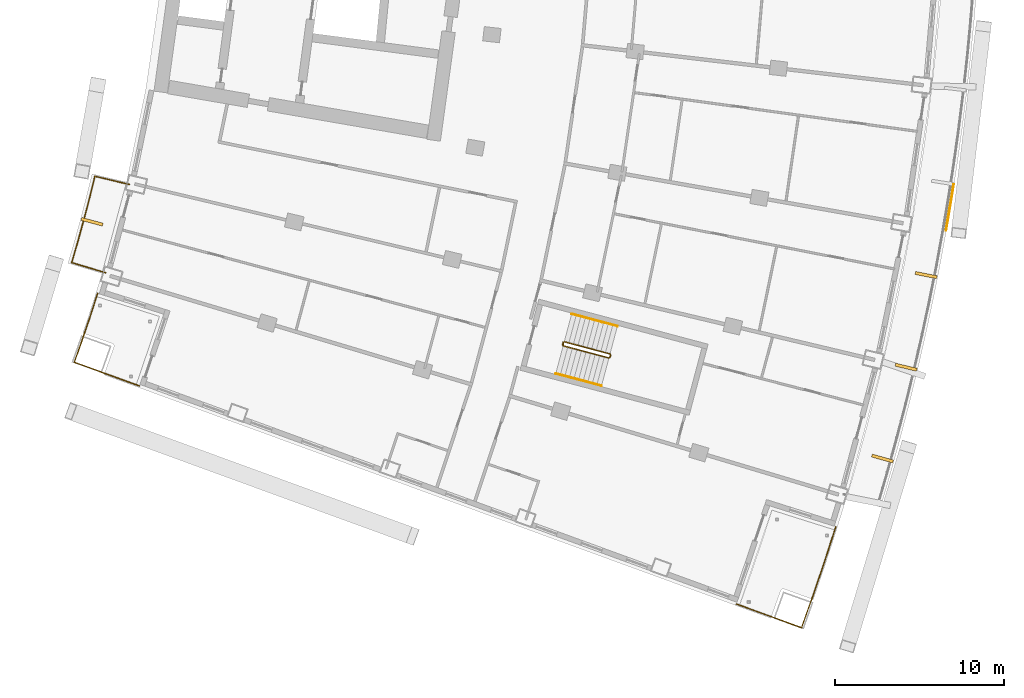
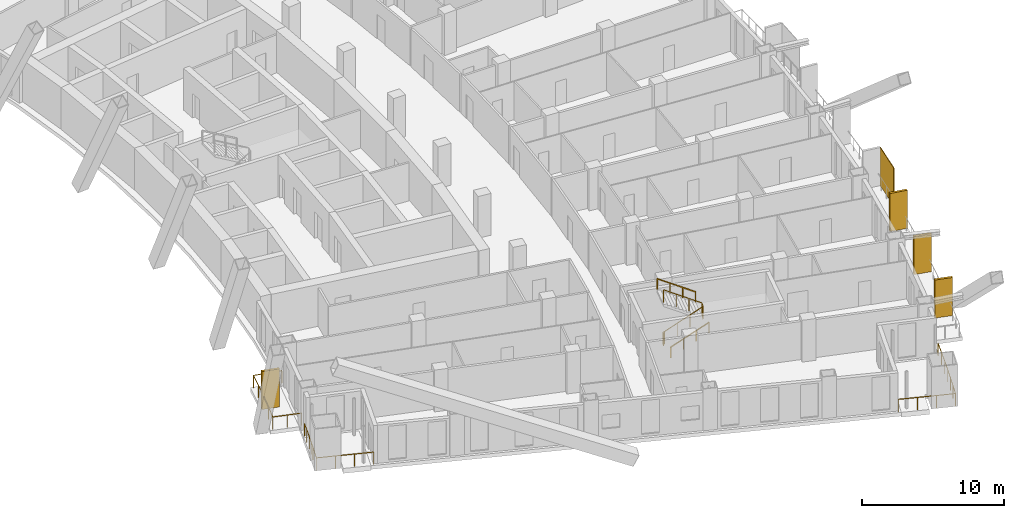
# One storey, part 23 of 25: 6 railings, 5 shading devices.
"""IFC4 building model written with IfcOpenShell, lengths in metres."""

from ifc_helpers import new_model, si_unit, direction, frame, origin, origin_2d, place, context, subcontext, project, spatial, rectangle, extrude, material, layer, layer_set, type_object, element, save


model = new_model("IFC4")

# Units and contexts
model_context = context("Model", 3, precision=1e-05, world=origin(), true_north=direction((0.0, 1.0)))
body_context = subcontext(model_context, "Body", "Model", "MODEL_VIEW")
ifc_project = project(units=[si_unit("LENGTHUNIT", "METRE"), si_unit("AREAUNIT", "SQUARE_METRE"), si_unit("VOLUMEUNIT", "CUBIC_METRE"), si_unit("PLANEANGLEUNIT", "RADIAN"), si_unit("MASSUNIT", "GRAM", prefix="KILO")], contexts=[model_context])

# Site, building, storey
site_placement = place(None, origin())
site = spatial("IfcSite", under=ifc_project, at=site_placement, CompositionType="ELEMENT")
building_placement = place(site_placement, origin())
building = spatial("IfcBuilding", under=site, at=building_placement, Name="Alderwake Tower", CompositionType="ELEMENT")
storey_placement = place(building_placement, frame((0.0, 0.0, 93.199951171875)))
storey = spatial("IfcBuildingStorey", under=building, at=storey_placement, Name="L22", CompositionType="ELEMENT", Elevation=93.199951171875)

# Railings
ifc_material_1 = material(Name="Stainless steel 316 rail and posts", Category="steel")
railing_type_1 = type_object("IfcRailingType", Name="Balcony guard 1100", PredefinedType="GUARDRAIL", material=ifc_material_1)
railing_1_placement = place(storey_placement, frame((12.16650390625, 33.435791015625, 0.0)))
element("IfcRailing", 1, at=railing_1_placement, inside=storey, type_object=railing_type_1, Name="Guard BR02", PredefinedType="GUARDRAIL", context=body_context, shape_type="SweptSolid", body=[
    extrude(rectangle(XDim=0.048095703125, YDim=0.048095703125, at=origin_2d()), frame((0.0, 0.0, 1.076171875), z_axis=(-0.958091458885, 0.286462486918, 0.0), x_axis=(-0.286462486918, -0.958091458885, 0.0)), (0.0, 0.0, 1.0), 2.099853515625),
    extrude(rectangle(XDim=0.048095703125, YDim=0.048095703125, at=origin_2d()), frame((-2.011962890625, 0.6015625, 1.076171875), z_axis=(0.279963157487, 0.960010744966, 0.0), x_axis=(-0.960010744966, 0.279963157487, 0.0)), (0.0, 0.0, 1.0), 1.272216796875),
    extrude(rectangle(XDim=0.048095703125, YDim=0.048095703125, at=origin_2d()), frame((-1.65576171875, 1.822998046875, 1.076171875), z_axis=(0.266487604617, 0.963838345671, 0.0), x_axis=(-0.963838345671, 0.266487604617, 0.0)), (0.0, 0.0, 1.0), 1.372314453125),
    extrude(rectangle(XDim=0.048095703125, YDim=0.048095703125, at=origin_2d()), frame((-1.2900390625, 3.145751953125, 1.076171875), z_axis=(0.252487086228, 0.967600264204, 0.0), x_axis=(-0.967600264204, 0.252487086228, 0.0)), (0.0, 0.0, 1.0), 1.3720703125),
    extrude(rectangle(XDim=0.048095703125, YDim=0.048095703125, at=origin_2d()), frame((-0.943603515625, 4.473388671875, 1.076171875), z_axis=(0.238877101641, 0.971049808358, 0.0), x_axis=(-0.971049808358, 0.238877101641, 0.0)), (0.0, 0.0, 1.0), 1.2724609375),
    extrude(rectangle(XDim=0.048095703125, YDim=0.048095703125, at=origin_2d()), frame((-0.6396484375, 5.708984375, 1.076171875), z_axis=(0.972646310656, -0.232291098337, 0.0), x_axis=(0.232291098337, 0.972646310656, 0.0)), (0.0, 0.0, 1.0), 2.099853515625),
    extrude(rectangle(XDim=0.0419921875, YDim=0.0419921875, at=origin_2d()), frame((0.0, 0.0, 0.0), z_axis=(0.0, 0.0, 1.0), x_axis=(-0.958091458885, 0.286462486918, 0.0)), (0.0, 0.0, 1.0), 1.052001953125),
    extrude(rectangle(XDim=0.0419921875, YDim=0.0419921875, at=origin_2d()), frame((-1.005859375, 0.30078125, 0.0), z_axis=(0.0, 0.0, 1.0), x_axis=(-0.958091458885, 0.286462486918, 0.0)), (0.0, 0.0, 1.0), 1.052001953125),
    extrude(rectangle(XDim=0.0419921875, YDim=0.0419921875, at=origin_2d()), frame((-2.011962890625, 0.6015625, 0.0), z_axis=(0.0, 0.0, 1.0), x_axis=(0.279963157487, 0.960010744966, 0.0)), (0.0, 0.0, 1.0), 1.052001953125),
    extrude(rectangle(XDim=0.0419921875, YDim=0.0419921875, at=origin_2d()), frame((-1.65576171875, 1.822998046875, 0.0), z_axis=(0.0, 0.0, 1.0), x_axis=(0.266487604617, 0.963838345671, 0.0)), (0.0, 0.0, 1.0), 1.052001953125),
    extrude(rectangle(XDim=0.0419921875, YDim=0.0419921875, at=origin_2d()), frame((-1.2900390625, 3.145751953125, 0.0), z_axis=(0.0, 0.0, 1.0), x_axis=(0.252487086228, 0.967600264204, 0.0)), (0.0, 0.0, 1.0), 1.052001953125),
    extrude(rectangle(XDim=0.0419921875, YDim=0.0419921875, at=origin_2d()), frame((-0.943603515625, 4.473388671875, 0.0), z_axis=(0.0, 0.0, 1.0), x_axis=(0.238877101641, 0.971049808358, 0.0)), (0.0, 0.0, 1.0), 1.052001953125),
    extrude(rectangle(XDim=0.0419921875, YDim=0.0419921875, at=origin_2d()), frame((-0.6396484375, 5.708984375, 0.0), z_axis=(0.0, 0.0, 1.0), x_axis=(0.972646310656, -0.232291098337, 0.0)), (0.0, 0.0, 1.0), 1.052001953125),
    extrude(rectangle(XDim=0.0419921875, YDim=0.0419921875, at=origin_2d()), frame((0.381591796875, 5.465087890625, 0.0), z_axis=(0.0, 0.0, 1.0), x_axis=(0.972646310656, -0.232291098337, 0.0)), (0.0, 0.0, 1.0), 1.052001953125),
    extrude(rectangle(XDim=0.0419921875, YDim=0.0419921875, at=origin_2d()), frame((1.40283203125, 5.22119140625, 0.0), z_axis=(0.0, 0.0, 1.0), x_axis=(0.972646310656, -0.232291098337, 0.0)), (0.0, 0.0, 1.0), 1.052001953125),
])
railing_2_placement = place(storey_placement, frame((55.357666015625, 18.409912109375, 0.0)))
element("IfcRailing", 2, at=railing_2_placement, inside=storey, type_object=railing_type_1, Name="Guard terrace FS", PredefinedType="GUARDRAIL", context=body_context, shape_type="SweptSolid", body=[
    extrude(rectangle(XDim=0.048095703125, YDim=0.048095703125, at=origin_2d()), frame((0.0, 0.0, 1.076171875), z_axis=(-0.307791641716, -0.951453785157, 0.0), x_axis=(0.951453785157, -0.307791641716, 0.0)), (0.0, 0.0, 1.0), 2.269287109375),
    extrude(rectangle(XDim=0.048095703125, YDim=0.048095703125, at=origin_2d()), frame((-0.698486328125, -2.1591796875, 1.076171875), z_axis=(-0.322203060236, -0.946670580495, 0.0), x_axis=(0.946670580495, -0.322203060236, 0.0)), (0.0, 0.0, 1.0), 2.0693359375),
    extrude(rectangle(XDim=0.048095703125, YDim=0.048095703125, at=origin_2d()), frame((-1.365234375, -4.1181640625, 1.076171875), z_axis=(-0.335723744503, -0.94196049141, 0.0), x_axis=(0.94196049141, -0.335723744503, 0.0)), (0.0, 0.0, 1.0), 1.96923828125),
    extrude(rectangle(XDim=0.048095703125, YDim=0.048095703125, at=origin_2d()), frame((-2.0263671875, -5.97314453125, 1.076171875), z_axis=(-0.939624669849, 0.342206779317, 0.0), x_axis=(-0.342206779317, -0.939624669849, 0.0)), (0.0, 0.0, 1.0), 4.10009765625),
    extrude(rectangle(XDim=0.0419921875, YDim=0.0419921875, at=origin_2d()), frame((0.0, 0.0, 0.0), z_axis=(0.0, 0.0, 1.0), x_axis=(-0.307791641716, -0.951453785157, 0.0)), (0.0, 0.0, 1.0), 1.052001953125),
    extrude(rectangle(XDim=0.0419921875, YDim=0.0419921875, at=origin_2d()), frame((-0.34912109375, -1.07958984375, 0.0), z_axis=(0.0, 0.0, 1.0), x_axis=(-0.307791641716, -0.951453785157, 0.0)), (0.0, 0.0, 1.0), 1.052001953125),
    extrude(rectangle(XDim=0.0419921875, YDim=0.0419921875, at=origin_2d()), frame((-0.698486328125, -2.1591796875, 0.0), z_axis=(0.0, 0.0, 1.0), x_axis=(-0.322203060236, -0.946670580495, 0.0)), (0.0, 0.0, 1.0), 1.052001953125),
    extrude(rectangle(XDim=0.0419921875, YDim=0.0419921875, at=origin_2d()), frame((-1.03173828125, -3.138671875, 0.0), z_axis=(0.0, 0.0, 1.0), x_axis=(-0.322203060236, -0.946670580495, 0.0)), (0.0, 0.0, 1.0), 1.052001953125),
    extrude(rectangle(XDim=0.0419921875, YDim=0.0419921875, at=origin_2d()), frame((-1.365234375, -4.1181640625, 0.0), z_axis=(0.0, 0.0, 1.0), x_axis=(-0.335723744503, -0.94196049141, 0.0)), (0.0, 0.0, 1.0), 1.052001953125),
    extrude(rectangle(XDim=0.0419921875, YDim=0.0419921875, at=origin_2d()), frame((-1.69580078125, -5.045654296875, 0.0), z_axis=(0.0, 0.0, 1.0), x_axis=(-0.335723744503, -0.94196049141, 0.0)), (0.0, 0.0, 1.0), 1.052001953125),
    extrude(rectangle(XDim=0.0419921875, YDim=0.0419921875, at=origin_2d()), frame((-2.0263671875, -5.97314453125, 0.0), z_axis=(0.0, 0.0, 1.0), x_axis=(-0.939624669849, 0.342206779317, 0.0)), (0.0, 0.0, 1.0), 1.052001953125),
    extrude(rectangle(XDim=0.0419921875, YDim=0.0419921875, at=origin_2d()), frame((-3.310546875, -5.50537109375, 0.0), z_axis=(0.0, 0.0, 1.0), x_axis=(-0.939624669849, 0.342206779317, 0.0)), (0.0, 0.0, 1.0), 1.052001953125),
    extrude(rectangle(XDim=0.0419921875, YDim=0.0419921875, at=origin_2d()), frame((-4.5947265625, -5.037841796875, 0.0), z_axis=(0.0, 0.0, 1.0), x_axis=(-0.939624669849, 0.342206779317, 0.0)), (0.0, 0.0, 1.0), 1.052001953125),
    extrude(rectangle(XDim=0.0419921875, YDim=0.0419921875, at=origin_2d()), frame((-5.87890625, -4.570068359375, 0.0), z_axis=(0.0, 0.0, 1.0), x_axis=(-0.939624669849, 0.342206779317, 0.0)), (0.0, 0.0, 1.0), 1.052001953125),
])
railing_3_placement = place(storey_placement, frame((11.688720703125, 32.218017578125, 0.0)))
element("IfcRailing", 3, at=railing_3_placement, inside=storey, type_object=railing_type_1, Name="Guard terrace RS", PredefinedType="GUARDRAIL", context=body_context, shape_type="SweptSolid", body=[
    extrude(rectangle(XDim=0.048095703125, YDim=0.048095703125, at=origin_2d()), frame((0.0, 0.0, 1.076171875), z_axis=(-0.307479326145, -0.951554761426, 0.0), x_axis=(0.951554761426, -0.307479326145, 0.0)), (0.0, 0.0, 1.0), 1.6015625),
    extrude(rectangle(XDim=0.048095703125, YDim=0.048095703125, at=origin_2d()), frame((-0.492431640625, -1.52392578125, 1.076171875), z_axis=(-0.322283727344, -0.946643121292, 0.0), x_axis=(0.946643121292, -0.322283727344, 0.0)), (0.0, 0.0, 1.0), 1.4013671875),
    extrude(rectangle(XDim=0.048095703125, YDim=0.048095703125, at=origin_2d()), frame((-0.944091796875, -2.8505859375, 1.076171875), z_axis=(-0.335468607403, -0.942051385778, 0.0), x_axis=(0.942051385778, -0.335468607403, 0.0)), (0.0, 0.0, 1.0), 1.30126953125),
    extrude(rectangle(XDim=0.048095703125, YDim=0.048095703125, at=origin_2d()), frame((-1.380615234375, -4.076416015625, 1.076171875), z_axis=(0.939708203232, -0.341977327873, 0.0), x_axis=(0.341977327873, 0.939708203232, 0.0)), (0.0, 0.0, 1.0), 4.10009765625),
    extrude(rectangle(XDim=0.0419921875, YDim=0.0419921875, at=origin_2d()), frame((0.0, 0.0, 0.0), z_axis=(0.0, 0.0, 1.0), x_axis=(-0.307479326145, -0.951554761426, 0.0)), (0.0, 0.0, 1.0), 1.052001953125),
    extrude(rectangle(XDim=0.0419921875, YDim=0.0419921875, at=origin_2d()), frame((-0.24609375, -0.761962890625, 0.0), z_axis=(0.0, 0.0, 1.0), x_axis=(-0.307479326145, -0.951554761426, 0.0)), (0.0, 0.0, 1.0), 1.052001953125),
    extrude(rectangle(XDim=0.0419921875, YDim=0.0419921875, at=origin_2d()), frame((-0.492431640625, -1.52392578125, 0.0), z_axis=(0.0, 0.0, 1.0), x_axis=(-0.322283727344, -0.946643121292, 0.0)), (0.0, 0.0, 1.0), 1.052001953125),
    extrude(rectangle(XDim=0.0419921875, YDim=0.0419921875, at=origin_2d()), frame((-0.71826171875, -2.187255859375, 0.0), z_axis=(0.0, 0.0, 1.0), x_axis=(-0.322283727344, -0.946643121292, 0.0)), (0.0, 0.0, 1.0), 1.052001953125),
    extrude(rectangle(XDim=0.0419921875, YDim=0.0419921875, at=origin_2d()), frame((-0.944091796875, -2.8505859375, 0.0), z_axis=(0.0, 0.0, 1.0), x_axis=(-0.335468607403, -0.942051385778, 0.0)), (0.0, 0.0, 1.0), 1.052001953125),
    extrude(rectangle(XDim=0.0419921875, YDim=0.0419921875, at=origin_2d()), frame((-1.380615234375, -4.076416015625, 0.0), z_axis=(0.0, 0.0, 1.0), x_axis=(0.939708203232, -0.341977327873, 0.0)), (0.0, 0.0, 1.0), 1.052001953125),
    extrude(rectangle(XDim=0.0419921875, YDim=0.0419921875, at=origin_2d()), frame((-0.096435546875, -4.543701171875, 0.0), z_axis=(0.0, 0.0, 1.0), x_axis=(0.939708203232, -0.341977327873, 0.0)), (0.0, 0.0, 1.0), 1.052001953125),
    extrude(rectangle(XDim=0.0419921875, YDim=0.0419921875, at=origin_2d()), frame((1.18798828125, -5.01123046875, 0.0), z_axis=(0.0, 0.0, 1.0), x_axis=(0.939708203232, -0.341977327873, 0.0)), (0.0, 0.0, 1.0), 1.052001953125),
    extrude(rectangle(XDim=0.0419921875, YDim=0.0419921875, at=origin_2d()), frame((2.47216796875, -5.478515625, 0.0), z_axis=(0.0, 0.0, 1.0), x_axis=(0.939708203232, -0.341977327873, 0.0)), (0.0, 0.0, 1.0), 1.052001953125),
])

# Shading devices
ifc_material_2 = material(Name="Bronze anodised aluminium", Category="aluminium")
ifc_layer_1 = layer(ifc_material_2, 0.179931640625)
ifc_layer_set_1 = layer_set([ifc_layer_1], Name="Facade fin 1300")
shading_device_type_1 = type_object("IfcShadingDeviceType", Name="Facade fin 1300", PredefinedType="USERDEFINED", material=ifc_layer_set_1)
for number, where, z_axis, x_axis, name in (
    (4, (58.120361328125, 22.44677734375, 0.0), (0.0, 0.0, 1.0), (0.96318180783, -0.268850897459, 0.0), "Fin"),
    (5, (59.51513671875, 27.847412109375, 0.0), (0.0, 0.0, 1.0), (0.972908790564, -0.231189284448, 0.0), "Fin"),
    (6, (60.698974609375, 33.29833984375, 0.0), (0.0, 0.0, 1.0), (0.981163751315, -0.193177879441, 0.0), "Fin"),
    (7, (11.359375, 36.45166015625, 0.0), (0.0, 0.0, 1.0), (0.965744448231, -0.259495010957, 0.0), "Fin"),
):
    element("IfcShadingDevice", number, at=place(storey_placement, frame(where, z_axis=z_axis, x_axis=x_axis)), inside=storey, type_object=shading_device_type_1, Name=name, ObjectType="FIN", PredefinedType="USERDEFINED", context=body_context, shape_type="SweptSolid", body=[
        extrude(rectangle(XDim=1.300048828125, YDim=0.179931640625, at=origin_2d()), origin(), (0.0, 0.0, 1.0), 3.280029296875),
    ])
ifc_material_3 = material(Name="Perforated bronze anodised aluminium", Category="aluminium")
ifc_layer_2 = layer(ifc_material_3, 0.050048828125)
ifc_layer_set_2 = layer_set([ifc_layer_2], Name="Perforated screen panel")
shading_device_type_2 = type_object("IfcShadingDeviceType", Name="Perforated screen panel", PredefinedType="USERDEFINED", material=ifc_layer_set_2)
shading_device_placement = place(storey_placement, frame((62.1044921875, 37.293701171875, 0.0), z_axis=(0.0, 0.0, 1.0), x_axis=(0.986369013299, -0.164548380739, 0.0)))
element("IfcShadingDevice", 8, at=shading_device_placement, inside=storey, type_object=shading_device_type_2, Name="Screen panel", ObjectType="SCREEN", PredefinedType="USERDEFINED", context=body_context, shape_type="SweptSolid", body=[
    extrude(rectangle(XDim=0.050048828125, YDim=2.794921875, at=origin_2d()), origin(), (0.0, 0.0, 1.0), 3.280029296875),
])

# Railings
ifc_material_4 = material(Name="Stainless steel guard", Category="steel")
railing_type_2 = type_object("IfcRailingType", Name="Stair guard 1100", PredefinedType="GUARDRAIL", material=ifc_material_4)
railing_4_placement = place(storey_placement, frame((39.1943359375, 29.17431640625, 0.0)))
element("IfcRailing", 9, at=railing_4_placement, inside=storey, type_object=railing_type_2, Name="L22 ST-C stair guard 1", PredefinedType="GUARDRAIL", context=body_context, shape_type="SweptSolid", body=[
    extrude(rectangle(XDim=0.048095703125, YDim=0.048095703125, at=origin_2d()), frame((0.0, 0.0, 1.076171875), z_axis=(0.257459803502, 0.966289009345, 0.0), x_axis=(-0.966289009345, 0.257459803502, 0.0)), (0.0, 0.0, 1.0), 0.14990234375),
    extrude(rectangle(XDim=0.048095703125, YDim=0.048095703125, at=origin_2d()), frame((0.03857421875, 0.144775390625, 1.076171875), z_axis=(-0.012062893862, -0.783160186125, 0.621702991355), x_axis=(0.999881397308, -0.015401016783, 0.0)), (0.0, 0.0, 1.0), 0.26318359375),
    extrude(rectangle(XDim=0.048095703125, YDim=0.048095703125, at=origin_2d()), frame((0.035400390625, -0.061279296875, 1.23974609375), z_axis=(0.834281824786, -0.222214197128, 0.504573768072), x_axis=(0.257380452725, 0.966310148221, 0.0)), (0.0, 0.0, 1.0), 3.2431640625),
    extrude(rectangle(XDim=0.048095703125, YDim=0.048095703125, at=origin_2d()), frame((2.7412109375, -0.781982421875, 2.8759765625), z_axis=(0.865031189262, 0.501718089772, 0.0), x_axis=(-0.501718089772, 0.865031189262, 0.0)), (0.0, 0.0, 1.0), 0.070556640625),
    extrude(rectangle(XDim=0.048095703125, YDim=0.048095703125, at=origin_2d()), frame((2.80224609375, -0.74658203125, 2.8759765625), z_axis=(0.257055032184, 0.966396766566, 0.0), x_axis=(-0.966396766566, 0.257055032184, 0.0)), (0.0, 0.0, 1.0), 0.150146484375),
    extrude(rectangle(XDim=0.048095703125, YDim=0.048095703125, at=origin_2d()), frame((2.8408203125, -0.6015625, 2.8759765625), z_axis=(-0.198625291617, 0.343827228937, 0.91778583023), x_axis=(-0.865898279276, -0.500220121494, 0.0)), (0.0, 0.0, 1.0), 0.17822265625),
    extrude(rectangle(XDim=0.048095703125, YDim=0.048095703125, at=origin_2d()), frame((2.805419921875, -0.540283203125, 3.03955078125), z_axis=(-0.834258940753, 0.22222815314, 0.504605457487), x_axis=(-0.257402139082, -0.966304371715, 0.0)), (0.0, 0.0, 1.0), 3.2431640625),
    extrude(rectangle(XDim=0.0419921875, YDim=0.0419921875, at=origin_2d()), frame((0.0, 0.0, 0.0), z_axis=(0.0, 0.0, 1.0), x_axis=(0.257459803502, 0.966289009345, 0.0)), (0.0, 0.0, 1.0), 1.052001953125),
    extrude(rectangle(XDim=0.0419921875, YDim=0.0419921875, at=origin_2d()), frame((0.03857421875, 0.144775390625, 0.0), z_axis=(0.0, 0.0, 1.0), x_axis=(-0.015401016783, -0.999881397308, 0.0)), (0.0, 0.0, 1.0), 1.052001953125),
    extrude(rectangle(XDim=0.0419921875, YDim=0.0419921875, at=origin_2d()), frame((0.035400390625, -0.061279296875, 0.16357421875), z_axis=(0.0, 0.0, 1.0), x_axis=(0.966310148221, -0.257380452725, 0.0)), (0.0, 0.0, 1.0), 1.052001953125),
    extrude(rectangle(XDim=0.0419921875, YDim=0.0419921875, at=origin_2d()), frame((0.937255859375, -0.301513671875, 0.708984375), z_axis=(0.0, 0.0, 1.0), x_axis=(0.966310148221, -0.257380452725, 0.0)), (0.0, 0.0, 1.0), 1.052001953125),
    extrude(rectangle(XDim=0.0419921875, YDim=0.0419921875, at=origin_2d()), frame((1.83935546875, -0.541748046875, 1.254638671875), z_axis=(0.0, 0.0, 1.0), x_axis=(0.966310148221, -0.257380452725, 0.0)), (0.0, 0.0, 1.0), 1.052001953125),
    extrude(rectangle(XDim=0.0419921875, YDim=0.0419921875, at=origin_2d()), frame((2.7412109375, -0.781982421875, 1.800048828125), z_axis=(0.0, 0.0, 1.0), x_axis=(0.865031189262, 0.501718089772, 0.0)), (0.0, 0.0, 1.0), 1.052001953125),
    extrude(rectangle(XDim=0.0419921875, YDim=0.0419921875, at=origin_2d()), frame((2.80224609375, -0.74658203125, 1.800048828125), z_axis=(0.0, 0.0, 1.0), x_axis=(0.257055032184, 0.966396766566, 0.0)), (0.0, 0.0, 1.0), 1.052001953125),
    extrude(rectangle(XDim=0.0419921875, YDim=0.0419921875, at=origin_2d()), frame((2.8408203125, -0.6015625, 1.800048828125), z_axis=(0.0, 0.0, 1.0), x_axis=(-0.500220121494, 0.865898279276, 0.0)), (0.0, 0.0, 1.0), 1.052001953125),
    extrude(rectangle(XDim=0.0419921875, YDim=0.0419921875, at=origin_2d()), frame((2.805419921875, -0.540283203125, 1.963623046875), z_axis=(0.0, 0.0, 1.0), x_axis=(-0.966304371715, 0.257402139082, 0.0)), (0.0, 0.0, 1.0), 1.052001953125),
    extrude(rectangle(XDim=0.0419921875, YDim=0.0419921875, at=origin_2d()), frame((1.903564453125, -0.300048828125, 2.509033203125), z_axis=(0.0, 0.0, 1.0), x_axis=(-0.966304371715, 0.257402139082, 0.0)), (0.0, 0.0, 1.0), 1.052001953125),
    extrude(rectangle(XDim=0.0419921875, YDim=0.0419921875, at=origin_2d()), frame((1.001708984375, -0.059814453125, 3.0546875), z_axis=(0.0, 0.0, 1.0), x_axis=(-0.966304371715, 0.257402139082, 0.0)), (0.0, 0.0, 1.0), 1.052001953125),
    extrude(rectangle(XDim=0.0419921875, YDim=0.0419921875, at=origin_2d()), frame((0.099853515625, 0.180419921875, 3.60009765625), z_axis=(0.0, 0.0, 1.0), x_axis=(-0.966304371715, 0.257402139082, 0.0)), (0.0, 0.0, 1.0), 1.052001953125),
])
ifc_material_5 = material(Name="Stainless steel handrail", Category="steel")
railing_type_3 = type_object("IfcRailingType", Name="Stair handrail 900", PredefinedType="HANDRAIL", material=ifc_material_5)
railing_5_placement = place(storey_placement, frame((38.792236328125, 27.47021484375, 0.16357421875)))
element("IfcRailing", 10, at=railing_5_placement, inside=storey, type_object=railing_type_3, Name="L22 ST-C stair handrail 1", PredefinedType="HANDRAIL", context=body_context, shape_type="SweptSolid", body=[
    extrude(rectangle(XDim=0.048095703125, YDim=0.048095703125, at=origin_2d()), frame((0.0, 0.0, 0.8759765625), z_axis=(0.834272895437, -0.222156588561, 0.504613898043), x_axis=(0.25732071773, 0.966326056891, 0.0)), (0.0, 0.0, 1.0), 3.242919921875),
    extrude(rectangle(XDim=0.0419921875, YDim=0.0419921875, at=origin_2d()), frame((0.0, 0.0, 0.0), z_axis=(0.0, 0.0, 1.0), x_axis=(0.966326056891, -0.25732071773, 0.0)), (0.0, 0.0, 1.0), 0.851806640625),
    extrude(rectangle(XDim=0.0419921875, YDim=0.0419921875, at=origin_2d()), frame((0.90185546875, -0.240234375, 0.54541015625), z_axis=(0.0, 0.0, 1.0), x_axis=(0.966326056891, -0.25732071773, 0.0)), (0.0, 0.0, 1.0), 0.851806640625),
    extrude(rectangle(XDim=0.0419921875, YDim=0.0419921875, at=origin_2d()), frame((1.8037109375, -0.480224609375, 1.091064453125), z_axis=(0.0, 0.0, 1.0), x_axis=(0.966326056891, -0.25732071773, 0.0)), (0.0, 0.0, 1.0), 0.851806640625),
    extrude(rectangle(XDim=0.0419921875, YDim=0.0419921875, at=origin_2d()), frame((2.70556640625, -0.720458984375, 1.636474609375), z_axis=(0.0, 0.0, 1.0), x_axis=(0.966326056891, -0.25732071773, 0.0)), (0.0, 0.0, 1.0), 0.851806640625),
])
railing_6_placement = place(storey_placement, frame((42.437255859375, 30.276611328125, 1.963623046875)))
element("IfcRailing", 11, at=railing_6_placement, inside=storey, type_object=railing_type_3, Name="L22 ST-C stair handrail 2", PredefinedType="HANDRAIL", context=body_context, shape_type="SweptSolid", body=[
    extrude(rectangle(XDim=0.048095703125, YDim=0.048095703125, at=origin_2d()), frame((0.0, 0.0, 0.8759765625), z_axis=(-0.834258940753, 0.22222815314, 0.504605457487), x_axis=(-0.257402139082, -0.966304371715, 0.0)), (0.0, 0.0, 1.0), 3.2431640625),
    extrude(rectangle(XDim=0.0419921875, YDim=0.0419921875, at=origin_2d()), frame((0.0, 0.0, 0.0), z_axis=(0.0, 0.0, 1.0), x_axis=(-0.966304371715, 0.257402139082, 0.0)), (0.0, 0.0, 1.0), 0.851806640625),
    extrude(rectangle(XDim=0.0419921875, YDim=0.0419921875, at=origin_2d()), frame((-0.90185546875, 0.240234375, 0.54541015625), z_axis=(0.0, 0.0, 1.0), x_axis=(-0.966304371715, 0.257402139082, 0.0)), (0.0, 0.0, 1.0), 0.851806640625),
    extrude(rectangle(XDim=0.0419921875, YDim=0.0419921875, at=origin_2d()), frame((-1.8037109375, 0.48046875, 1.091064453125), z_axis=(0.0, 0.0, 1.0), x_axis=(-0.966304371715, 0.257402139082, 0.0)), (0.0, 0.0, 1.0), 0.851806640625),
    extrude(rectangle(XDim=0.0419921875, YDim=0.0419921875, at=origin_2d()), frame((-2.70556640625, 0.720703125, 1.636474609375), z_axis=(0.0, 0.0, 1.0), x_axis=(-0.966304371715, 0.257402139082, 0.0)), (0.0, 0.0, 1.0), 0.851806640625),
])

save(model, "model.ifc")
